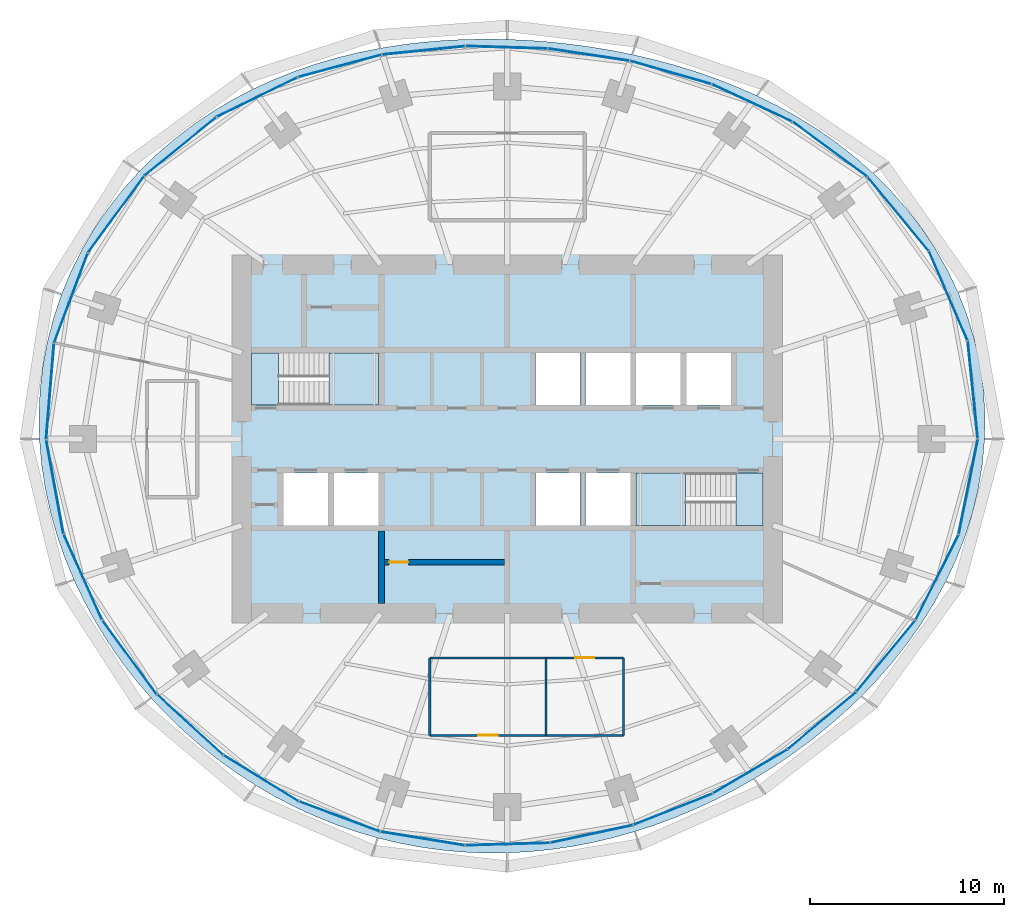
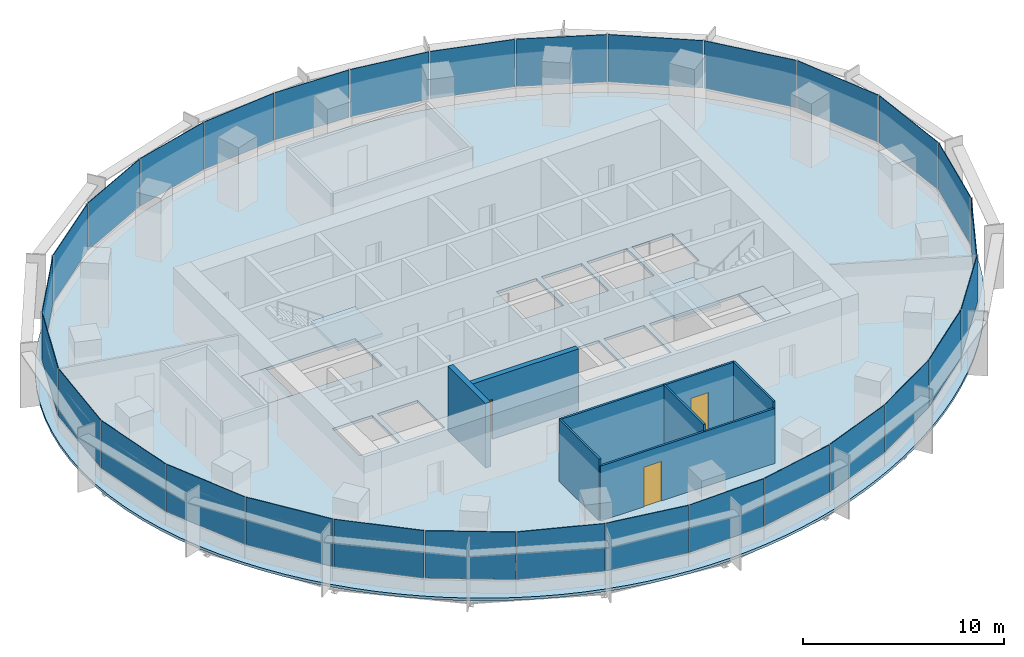
# One storey, part 9 of 14: 30 plates, 7 walls, 5 slabs, 3 doors, 3 openings, 8 elements without a shape of their own.
"""IFC4 building model written with IfcOpenShell, lengths in metres."""

from ifc_helpers import new_model, si_unit, direction, frame, frame_2d, origin, origin_2d, place, context, subcontext, project, spatial, polyline, rectangle, outline, extrude, material, layer, layer_set, type_object, element, fill, aggregate, save


model = new_model("IFC4")

# Units and contexts
model_context = context("Model", 3, precision=1e-05, world=origin(), true_north=direction((0.0, 1.0)))
body_context = subcontext(model_context, "Body", "Model", "MODEL_VIEW")
ifc_project = project(units=[si_unit("LENGTHUNIT", "METRE"), si_unit("AREAUNIT", "SQUARE_METRE"), si_unit("VOLUMEUNIT", "CUBIC_METRE"), si_unit("PLANEANGLEUNIT", "RADIAN"), si_unit("MASSUNIT", "GRAM", prefix="KILO")], contexts=[model_context])

# Site, building, storey
site_placement = place(None, origin())
site = spatial("IfcSite", under=ifc_project, at=site_placement, CompositionType="ELEMENT")
building_placement = place(site_placement, origin())
building = spatial("IfcBuilding", under=site, at=building_placement, Name="Marramba Exchange Tower", CompositionType="ELEMENT")
storey_placement = place(building_placement, frame((0.0, 0.0, 215.0)))
storey = spatial("IfcBuildingStorey", under=building, at=storey_placement, Name="L52", CompositionType="ELEMENT", Elevation=215.0)

# Slab
ifc_material_1 = material(Name="Concrete N40", Category="concrete")
ifc_layer_1 = layer(ifc_material_1, 0.159912109375)
ifc_layer_set_1 = layer_set([ifc_layer_1], Name="Composite floor slab 160")
slab_type_1 = type_object("IfcSlabType", Name="Composite floor slab 160", PredefinedType="FLOOR", material=ifc_layer_set_1)
slab_1_placement = place(storey_placement, frame((0.0, 0.0, -0.159912109375)))
element("IfcSlab", 1, at=slab_1_placement, inside=storey, type_object=slab_type_1, Name="Floor slab L52", PredefinedType="FLOOR", context=body_context, shape_type="SweptSolid", body=[
    extrude(outline(polyline([(24.64404296875, 0.0), (24.661376953125, 1.29248046875), (24.580078125, 2.58349609375), (24.399658203125, 3.864501953125), (24.12109375, 5.127197265625), (23.7470703125, 6.363037109375), (23.281494140625, 7.564697265625), (22.72900390625, 8.724853515625), (22.095947265625, 9.837646484375), (21.388427734375, 10.89794921875), (20.614013671875, 11.901611328125), (19.780029296875, 12.845458984375), (18.894287109375, 13.7275390625), (17.964111328125, 14.547119140625), (16.996826171875, 15.303955078125), (15.9990234375, 15.9990234375), (14.977294921875, 16.634033203125), (13.936767578125, 17.21044921875), (12.882568359375, 17.7314453125), (11.819091796875, 18.19970703125), (10.749267578125, 18.6181640625), (9.67578125, 18.989990234375), (8.60107421875, 19.318115234375), (7.52587890625, 19.60546875), (6.451171875, 19.8544921875), (5.377197265625, 20.067626953125), (4.303466796875, 20.246337890625), (3.229736328125, 20.39208984375), (2.1552734375, 20.50537109375), (1.078857421875, 20.5869140625), (0.0, 20.63623046875), (-1.082275390625, 20.652587890625), (-2.168701171875, 20.634765625), (-3.259765625, 20.580810546875), (-4.35498046875, 20.4892578125), (-5.45458984375, 20.35693359375), (-6.557373046875, 20.181884765625), (-7.662353515625, 19.9609375), (-8.76708984375, 19.691162109375), (-9.869384765625, 19.369873046875), (-10.96630859375, 18.994384765625), (-12.05419921875, 18.561767578125), (-13.128662109375, 18.070068359375), (-14.185546875, 17.517578125), (-15.218994140625, 16.902587890625), (-16.22412109375, 16.22412109375), (-17.195068359375, 15.482421875), (-18.12548828125, 14.677734375), (-19.009521484375, 13.811279296875), (-19.841064453125, 12.885009765625), (-20.614013671875, 11.901611328125), (-21.32275390625, 10.864501953125), (-21.9619140625, 9.778076171875), (-22.52685546875, 8.647216796875), (-23.01318359375, 7.477294921875), (-23.417724609375, 6.274658203125), (-23.73779296875, 5.045654296875), (-23.971923828125, 3.796875), (-24.119384765625, 2.53515625), (-24.180419921875, 1.267333984375), (-24.156005859375, 0.0), (-24.04833984375, -1.26025390625), (-23.860107421875, -2.5078125), (-23.594482421875, -3.737060546875), (-23.25537109375, -4.943115234375), (-22.846923828125, -6.121826171875), (-22.373291015625, -7.26953125), (-21.8388671875, -8.38330078125), (-21.247802734375, -9.460205078125), (-20.604248046875, -10.49853515625), (-19.912109375, -11.496337890625), (-19.174560546875, -12.4521484375), (-18.395263671875, -13.364990234375), (-17.5771484375, -14.233642578125), (-16.72265625, -15.05712890625), (-15.834228515625, -15.834228515625), (-14.914794921875, -16.564453125), (-13.966064453125, -17.24658203125), (-12.990234375, -17.879638671875), (-11.98974609375, -18.46240234375), (-10.96630859375, -18.994384765625), (-9.922607421875, -19.47412109375), (-8.860595703125, -19.901123046875), (-7.78271484375, -20.2744140625), (-6.691162109375, -20.593505859375), (-5.5888671875, -20.858154296875), (-4.478271484375, -21.068115234375), (-3.361328125, -21.22314453125), (-2.2412109375, -21.32373046875), (-1.119873046875, -21.370361328125), (0.0, -21.36376953125), (1.116455078125, -21.3046875), (2.2275390625, -21.194580078125), (3.33154296875, -21.0341796875), (4.426513671875, -20.8251953125), (5.511474609375, -20.56884765625), (6.5849609375, -20.266357421875), (7.646240234375, -19.919189453125), (8.694580078125, -19.528076171875), (9.72900390625, -19.09423828125), (10.749267578125, -18.6181640625), (11.75439453125, -18.100341796875), (12.744140625, -17.541015625), (13.71728515625, -16.939697265625), (14.6728515625, -16.2958984375), (15.609130859375, -15.609130859375), (16.5244140625, -14.878662109375), (17.415771484375, -14.10302734375), (18.280029296875, -13.28125), (19.11376953125, -12.41259765625), (19.912109375, -11.496337890625), (20.669921875, -10.531982421875), (21.3818359375, -9.519775390625), (22.041259765625, -8.4609375), (22.641845703125, -7.356689453125), (23.176513671875, -6.210205078125), (23.638671875, -5.024658203125), (24.022216796875, -3.8046875), (24.32080078125, -2.55615234375), (24.529541015625, -1.28564453125), (24.64404296875, 0.0)]), holes=[polyline([(1.449951171875, 1.75), (3.75, 1.75), (3.75, 4.449951171875), (1.449951171875, 4.449951171875), (1.449951171875, 1.75)]), polyline([(4.050048828125, 1.75), (6.35009765625, 1.75), (6.35009765625, 4.449951171875), (4.050048828125, 4.449951171875), (4.050048828125, 1.75)]), polyline([(1.449951171875, -4.449951171875), (3.75, -4.449951171875), (3.75, -1.75), (1.449951171875, -1.75), (1.449951171875, -4.449951171875)]), polyline([(4.050048828125, -4.449951171875), (6.35009765625, -4.449951171875), (6.35009765625, -1.75), (4.050048828125, -1.75), (4.050048828125, -4.449951171875)]), polyline([(6.64990234375, 1.75), (8.949951171875, 1.75), (8.949951171875, 4.449951171875), (6.64990234375, 4.449951171875), (6.64990234375, 1.75)]), polyline([(-8.949951171875, -4.449951171875), (-6.64990234375, -4.449951171875), (-6.64990234375, -1.75), (-8.949951171875, -1.75), (-8.949951171875, -4.449951171875)]), polyline([(-11.550048828125, -4.449951171875), (-9.25, -4.449951171875), (-9.25, -1.75), (-11.550048828125, -1.75), (-11.550048828125, -4.449951171875)]), polyline([(9.25, 1.75), (11.550048828125, 1.75), (11.550048828125, 4.449951171875), (9.25, 4.449951171875), (9.25, 1.75)]), polyline([(-13.199951171875, 1.75), (-6.64990234375, 1.75), (-6.64990234375, 4.449951171875), (-13.199951171875, 4.449951171875), (-13.199951171875, 1.75)]), polyline([(6.64990234375, -4.449951171875), (13.199951171875, -4.449951171875), (13.199951171875, -1.75), (6.64990234375, -1.75), (6.64990234375, -4.449951171875)])]), origin(), (0.0, 0.0, 1.0), 0.159912109375),
])

# Curtain wall, plates
ifc_material_2 = material(Name="Aluminium framing, bronze anodised", Category="aluminium")
curtain_wall_type = type_object("IfcCurtainWallType", Name="Office ribbon curtain wall", PredefinedType="USERDEFINED", material=ifc_material_2)
curtain_wall_1_placement = place(storey_placement, origin())
curtain_wall_1 = element("IfcCurtainWall", 2, at=curtain_wall_1_placement, inside=storey, type_object=curtain_wall_type, Name="Curtain wall CW4 L52 F01-F05", ObjectType="RIBBON CURTAIN WALL", PredefinedType="USERDEFINED")
ifc_material_3 = material(Name="Laminated double glazed unit 10.76 + 16 + 10.76, bronze tinted", Category="glass")
ifc_layer_2 = layer(ifc_material_3, 0.03759765625)
ifc_layer_set_2 = layer_set([ifc_layer_2], Name="Office ribbon curtain wall panel")
plate_type = type_object("IfcPlateType", Name="Office ribbon curtain wall panel", PredefinedType="CURTAIN_PANEL", material=ifc_layer_set_2)
plate_1_placement = place(storey_placement, frame((24.033203125, 2.556884765625, 0.860107421875), z_axis=(0.0, 0.0, 1.0), x_axis=(-0.101422472607, 0.994843446001, 0.0)))
plate_1 = element("IfcPlate", 3, at=plate_1_placement, type_object=plate_type, Name="CW4 vision panel", PredefinedType="CURTAIN_PANEL", context=body_context, shape_type="SweptSolid", body=[
    extrude(rectangle(XDim=5.0205078125, YDim=0.03759765625, at=origin_2d()), origin(), (0.0, 0.0, 1.0), 2.8798828125),
])
plate_2_placement = place(storey_placement, frame((22.765625, 7.40234375, 0.860107421875), z_axis=(0.0, 0.0, 1.0), x_axis=(-0.396193346946, 0.918167104527, 0.0)))
plate_2 = element("IfcPlate", 4, at=plate_2_placement, type_object=plate_type, Name="CW4 vision panel", PredefinedType="CURTAIN_PANEL", context=body_context, shape_type="SweptSolid", body=[
    extrude(rectangle(XDim=4.99462890625, YDim=0.03759765625, at=origin_2d()), origin(), (0.0, 0.0, 1.0), 2.8798828125),
])
plate_3_placement = place(storey_placement, frame((20.174560546875, 11.631591796875, 0.860107421875), z_axis=(0.0, 0.0, 1.0), x_axis=(-0.637350227411, 0.770574258342, 0.0)))
plate_3 = element("IfcPlate", 5, at=plate_3_placement, type_object=plate_type, Name="CW4 vision panel", PredefinedType="CURTAIN_PANEL", context=body_context, shape_type="SweptSolid", body=[
    extrude(rectangle(XDim=4.90576171875, YDim=0.03759765625, at=origin_2d()), origin(), (0.0, 0.0, 1.0), 2.8798828125),
])
plate_4_placement = place(storey_placement, frame((16.653076171875, 14.965576171875, 0.860107421875), z_axis=(0.0, 0.0, 1.0), x_axis=(-0.804877259395, 0.593441317494, 0.0)))
plate_4 = element("IfcPlate", 6, at=plate_4_placement, type_object=plate_type, Name="CW4 vision panel", PredefinedType="CURTAIN_PANEL", context=body_context, shape_type="SweptSolid", body=[
    extrude(rectangle(XDim=4.745849609375, YDim=0.03759765625, at=origin_2d()), origin(), (0.0, 0.0, 1.0), 2.8798828125),
])
plate_5_placement = place(storey_placement, frame((12.63134765625, 17.357177734375, 0.860107421875), z_axis=(0.0, 0.0, 1.0), x_axis=(-0.906533907301, 0.422133006189, 0.0)))
plate_5 = element("IfcPlate", 7, at=plate_5_placement, type_object=plate_type, Name="CW4 vision panel", PredefinedType="CURTAIN_PANEL", context=body_context, shape_type="SweptSolid", body=[
    extrude(rectangle(XDim=4.53857421875, YDim=0.03759765625, at=origin_2d()), origin(), (0.0, 0.0, 1.0), 2.8798828125),
])
aggregate(curtain_wall_1, [plate_1, plate_2, plate_3, plate_4, plate_5])

curtain_wall_2_placement = place(storey_placement, origin())
curtain_wall_2 = element("IfcCurtainWall", 8, at=curtain_wall_2_placement, inside=storey, type_object=curtain_wall_type, Name="Curtain wall CW4 L52 F06-F10", ObjectType="RIBBON CURTAIN WALL", PredefinedType="USERDEFINED")
plate_6_placement = place(storey_placement, frame((8.4296875, 18.926513671875, 0.860107421875), z_axis=(0.0, 0.0, 1.0), x_axis=(-0.961658954195, 0.274248164656, 0.0)))
plate_6 = element("IfcPlate", 9, at=plate_6_placement, type_object=plate_type, Name="CW4 vision panel", PredefinedType="CURTAIN_PANEL", context=body_context, shape_type="SweptSolid", body=[
    extrude(rectangle(XDim=4.33984375, YDim=0.03759765625, at=origin_2d()), origin(), (0.0, 0.0, 1.0), 2.8798828125),
])
plate_7_placement = place(storey_placement, frame((4.201171875, 19.843994140625, 0.860107421875), z_axis=(0.0, 0.0, 1.0), x_axis=(-0.988868065698, 0.148794988635, 0.0)))
plate_7 = element("IfcPlate", 10, at=plate_7_placement, type_object=plate_type, Name="CW4 vision panel", PredefinedType="CURTAIN_PANEL", context=body_context, shape_type="SweptSolid", body=[
    extrude(rectangle(XDim=4.2119140625, YDim=0.03759765625, at=origin_2d()), origin(), (0.0, 0.0, 1.0), 2.8798828125),
])
plate_8_placement = place(storey_placement, frame((-0.036865234375, 20.222900390625, 0.860107421875), z_axis=(0.0, 0.0, 1.0), x_axis=(-0.999538000143, 0.03039385249, 0.0)))
plate_8 = element("IfcPlate", 11, at=plate_8_placement, type_object=plate_type, Name="CW4 vision panel", PredefinedType="CURTAIN_PANEL", context=body_context, shape_type="SweptSolid", body=[
    extrude(rectangle(XDim=4.19287109375, YDim=0.03759765625, at=origin_2d()), origin(), (0.0, 0.0, 1.0), 2.8798828125),
])
plate_9_placement = place(storey_placement, frame((-4.320556640625, 20.064697265625, 0.860107421875), z_axis=(0.0, 0.0, 1.0), x_axis=(-0.994900357369, -0.100862673507, 0.0)))
plate_9 = element("IfcPlate", 12, at=plate_9_placement, type_object=plate_type, Name="CW4 vision panel", PredefinedType="CURTAIN_PANEL", context=body_context, shape_type="SweptSolid", body=[
    extrude(rectangle(XDim=4.279296875, YDim=0.03759765625, at=origin_2d()), origin(), (0.0, 0.0, 1.0), 2.8798828125),
])
plate_10_placement = place(storey_placement, frame((-8.6494140625, 19.262451171875, 0.860107421875), z_axis=(0.0, 0.0, 1.0), x_axis=(-0.966240653155, -0.257641223778, 0.0)))
plate_10 = element("IfcPlate", 13, at=plate_10_placement, type_object=plate_type, Name="CW4 vision panel", PredefinedType="CURTAIN_PANEL", context=body_context, shape_type="SweptSolid", body=[
    extrude(rectangle(XDim=4.433837890625, YDim=0.03759765625, at=origin_2d()), origin(), (0.0, 0.0, 1.0), 2.8798828125),
])
aggregate(curtain_wall_2, [plate_6, plate_7, plate_8, plate_9, plate_10])

curtain_wall_3_placement = place(storey_placement, origin())
curtain_wall_3 = element("IfcCurtainWall", 14, at=curtain_wall_3_placement, inside=storey, type_object=curtain_wall_type, Name="Curtain wall CW4 L52 F11-F15", ObjectType="RIBBON CURTAIN WALL", PredefinedType="USERDEFINED")
plate_11_placement = place(storey_placement, frame((-12.9150390625, 17.653564453125, 0.860107421875), z_axis=(0.0, 0.0, 1.0), x_axis=(-0.898500518805, -0.438972456661, 0.0)))
plate_11 = element("IfcPlate", 15, at=plate_11_placement, type_object=plate_type, Name="CW4 vision panel", PredefinedType="CURTAIN_PANEL", context=body_context, shape_type="SweptSolid", body=[
    extrude(rectangle(XDim=4.607177734375, YDim=0.03759765625, at=origin_2d()), origin(), (0.0, 0.0, 1.0), 2.8798828125),
])
plate_12_placement = place(storey_placement, frame((-16.87890625, 15.10498046875, 0.860107421875), z_axis=(0.0, 0.0, 1.0), x_axis=(-0.776432169145, -0.630200830464, 0.0)))
plate_12 = element("IfcPlate", 16, at=plate_12_placement, type_object=plate_type, Name="CW4 vision panel", PredefinedType="CURTAIN_PANEL", context=body_context, shape_type="SweptSolid", body=[
    extrude(rectangle(XDim=4.7587890625, YDim=0.03759765625, at=origin_2d()), origin(), (0.0, 0.0, 1.0), 2.8798828125),
])
plate_13_placement = place(storey_placement, frame((-20.2021484375, 11.596435546875, 0.860107421875), z_axis=(0.0, 0.0, 1.0), x_axis=(-0.591962922138, -0.805965197024, 0.0)))
plate_13 = element("IfcPlate", 17, at=plate_13_placement, type_object=plate_type, Name="CW4 vision panel", PredefinedType="CURTAIN_PANEL", context=body_context, shape_type="SweptSolid", body=[
    extrude(rectangle(XDim=4.865478515625, YDim=0.03759765625, at=origin_2d()), origin(), (0.0, 0.0, 1.0), 2.8798828125),
])
plate_14_placement = place(storey_placement, frame((-22.529296875, 7.276123046875, 0.860107421875), z_axis=(0.0, 0.0, 1.0), x_axis=(-0.351951515885, -0.936018231909, 0.0)))
plate_14 = element("IfcPlate", 18, at=plate_14_placement, type_object=plate_type, Name="CW4 vision panel", PredefinedType="CURTAIN_PANEL", context=body_context, shape_type="SweptSolid", body=[
    extrude(rectangle(XDim=4.921630859375, YDim=0.03759765625, at=origin_2d()), origin(), (0.0, 0.0, 1.0), 2.8798828125),
])
plate_15_placement = place(storey_placement, frame((-23.603271484375, 2.45654296875, 0.860107421875), z_axis=(0.0, 0.0, 1.0), x_axis=(-0.082280890264, -0.996609178714, 0.0)))
plate_15 = element("IfcPlate", 19, at=plate_15_placement, type_object=plate_type, Name="CW4 vision panel", PredefinedType="CURTAIN_PANEL", context=body_context, shape_type="SweptSolid", body=[
    extrude(rectangle(XDim=4.9296875, YDim=0.03759765625, at=origin_2d()), origin(), (0.0, 0.0, 1.0), 2.8798828125),
])
aggregate(curtain_wall_3, [plate_11, plate_12, plate_13, plate_14, plate_15])

curtain_wall_4_placement = place(storey_placement, origin())
curtain_wall_4 = element("IfcCurtainWall", 20, at=curtain_wall_4_placement, inside=storey, type_object=curtain_wall_type, Name="Curtain wall CW4 L52 F16-F20", ObjectType="RIBBON CURTAIN WALL", PredefinedType="USERDEFINED")
plate_16_placement = place(storey_placement, frame((-23.354248046875, -2.464599609375, 0.860107421875), z_axis=(0.0, 0.0, 1.0), x_axis=(0.180327438996, -0.983606636184, 0.0)))
plate_16 = element("IfcPlate", 21, at=plate_16_placement, type_object=plate_type, Name="CW4 vision panel", PredefinedType="CURTAIN_PANEL", context=body_context, shape_type="SweptSolid", body=[
    extrude(rectangle(XDim=4.8916015625, YDim=0.03759765625, at=origin_2d()), origin(), (0.0, 0.0, 1.0), 2.8798828125),
])
plate_17_placement = place(storey_placement, frame((-21.908447265625, -7.12158203125, 0.860107421875), z_axis=(0.0, 0.0, 1.0), x_axis=(0.407557580942, -0.913179510401, 0.0)))
plate_17 = element("IfcPlate", 22, at=plate_17_placement, type_object=plate_type, Name="CW4 vision panel", PredefinedType="CURTAIN_PANEL", context=body_context, shape_type="SweptSolid", body=[
    extrude(rectangle(XDim=4.810302734375, YDim=0.03759765625, at=origin_2d()), origin(), (0.0, 0.0, 1.0), 2.8798828125),
])
plate_18_placement = place(storey_placement, frame((-19.50244140625, -11.2626953125, 0.860107421875), z_axis=(0.0, 0.0, 1.0), x_axis=(0.591223103363, -0.806508054547, 0.0)))
plate_18 = element("IfcPlate", 23, at=plate_18_placement, type_object=plate_type, Name="CW4 vision panel", PredefinedType="CURTAIN_PANEL", context=body_context, shape_type="SweptSolid", body=[
    extrude(rectangle(XDim=4.703125, YDim=0.03759765625, at=origin_2d()), origin(), (0.0, 0.0, 1.0), 2.8798828125),
])
plate_19_placement = place(storey_placement, frame((-16.374267578125, -14.752197265625, 0.860107421875), z_axis=(0.0, 0.0, 1.0), x_axis=(0.737203264245, -0.67567103474, 0.0)))
plate_19 = element("IfcPlate", 24, at=plate_19_placement, type_object=plate_type, Name="CW4 vision panel", PredefinedType="CURTAIN_PANEL", context=body_context, shape_type="SweptSolid", body=[
    extrude(rectangle(XDim=4.594970703125, YDim=0.03759765625, at=origin_2d()), origin(), (0.0, 0.0, 1.0), 2.8798828125),
])
plate_20_placement = place(storey_placement, frame((-12.71044921875, -17.513427734375, 0.860107421875), z_axis=(0.0, 0.0, 1.0), x_axis=(0.85230101176, -0.52305160869, 0.0)))
plate_20 = element("IfcPlate", 25, at=plate_20_placement, type_object=plate_type, Name="CW4 vision panel", PredefinedType="CURTAIN_PANEL", context=body_context, shape_type="SweptSolid", body=[
    extrude(rectangle(XDim=4.503173828125, YDim=0.03759765625, at=origin_2d()), origin(), (0.0, 0.0, 1.0), 2.8798828125),
])
aggregate(curtain_wall_4, [plate_16, plate_17, plate_18, plate_19, plate_20])

curtain_wall_5_placement = place(storey_placement, origin())
curtain_wall_5 = element("IfcCurtainWall", 26, at=curtain_wall_5_placement, inside=storey, type_object=curtain_wall_type, Name="Curtain wall CW4 L52 F21-F25", ObjectType="RIBBON CURTAIN WALL", PredefinedType="USERDEFINED")
plate_21_placement = place(storey_placement, frame((-8.6591796875, -19.486572265625, 0.860107421875), z_axis=(0.0, 0.0, 1.0), x_axis=(0.936951583142, -0.349459197687, 0.0)))
plate_21 = element("IfcPlate", 27, at=plate_21_placement, type_object=plate_type, Name="CW4 vision panel", PredefinedType="CURTAIN_PANEL", context=body_context, shape_type="SweptSolid", body=[
    extrude(rectangle(XDim=4.431396484375, YDim=0.03759765625, at=origin_2d()), origin(), (0.0, 0.0, 1.0), 2.8798828125),
])
plate_22_placement = place(storey_placement, frame((-4.3642578125, -20.623046875, 0.860107421875), z_axis=(0.0, 0.0, 1.0), x_axis=(0.986930623159, -0.161145726194, 0.0)))
plate_22 = element("IfcPlate", 28, at=plate_22_placement, type_object=plate_type, Name="CW4 vision panel", PredefinedType="CURTAIN_PANEL", context=body_context, shape_type="SweptSolid", body=[
    extrude(rectangle(XDim=4.37646484375, YDim=0.03759765625, at=origin_2d()), origin(), (0.0, 0.0, 1.0), 2.8798828125),
])
plate_23_placement = place(storey_placement, frame((0.023193359375, -20.91015625, 0.860107421875), z_axis=(0.0, 0.0, 1.0), x_axis=(0.99956791915, 0.029393451762, 0.0)))
plate_23 = element("IfcPlate", 29, at=plate_23_placement, type_object=plate_type, Name="CW4 vision panel", PredefinedType="CURTAIN_PANEL", context=body_context, shape_type="SweptSolid", body=[
    extrude(rectangle(XDim=4.337646484375, YDim=0.03759765625, at=origin_2d()), origin(), (0.0, 0.0, 1.0), 2.8798828125),
])
plate_24_placement = place(storey_placement, frame((4.36328125, -20.3837890625, 0.860107421875), z_axis=(0.0, 0.0, 1.0), x_axis=(0.978058069607, 0.208332456608, 0.0)))
plate_24 = element("IfcPlate", 30, at=plate_24_placement, type_object=plate_type, Name="CW4 vision panel", PredefinedType="CURTAIN_PANEL", context=body_context, shape_type="SweptSolid", body=[
    extrude(rectangle(XDim=4.32177734375, YDim=0.03759765625, at=origin_2d()), origin(), (0.0, 0.0, 1.0), 2.8798828125),
])
plate_25_placement = place(storey_placement, frame((8.553466796875, -19.11328125, 0.860107421875), z_axis=(0.0, 0.0, 1.0), x_axis=(0.93007301435, 0.367374724195, 0.0)))
plate_25 = element("IfcPlate", 31, at=plate_25_placement, type_object=plate_type, Name="CW4 vision panel", PredefinedType="CURTAIN_PANEL", context=body_context, shape_type="SweptSolid", body=[
    extrude(rectangle(XDim=4.345458984375, YDim=0.03759765625, at=origin_2d()), origin(), (0.0, 0.0, 1.0), 2.8798828125),
])
aggregate(curtain_wall_5, [plate_21, plate_22, plate_23, plate_24, plate_25])

curtain_wall_6_placement = place(storey_placement, origin())
curtain_wall_6 = element("IfcCurtainWall", 32, at=curtain_wall_6_placement, inside=storey, type_object=curtain_wall_type, Name="Curtain wall CW4 L52 F26-F30", ObjectType="RIBBON CURTAIN WALL", PredefinedType="USERDEFINED")
plate_26_placement = place(storey_placement, frame((12.5322265625, -17.16015625, 0.860107421875), z_axis=(0.0, 0.0, 1.0), x_axis=(0.861350833897, 0.508010571686, 0.0)))
plate_26 = element("IfcPlate", 33, at=plate_26_placement, type_object=plate_type, Name="CW4 vision panel", PredefinedType="CURTAIN_PANEL", context=body_context, shape_type="SweptSolid", body=[
    extrude(rectangle(XDim=4.426513671875, YDim=0.03759765625, at=origin_2d()), origin(), (0.0, 0.0, 1.0), 2.8798828125),
])
plate_27_placement = place(storey_placement, frame((16.240966796875, -14.536376953125, 0.860107421875), z_axis=(0.0, 0.0, 1.0), x_axis=(0.768736798421, 0.639565270127, 0.0)))
plate_27 = element("IfcPlate", 34, at=plate_27_placement, type_object=plate_type, Name="CW4 vision panel", PredefinedType="CURTAIN_PANEL", context=body_context, shape_type="SweptSolid", body=[
    extrude(rectangle(XDim=4.568603515625, YDim=0.03759765625, at=origin_2d()), origin(), (0.0, 0.0, 1.0), 2.8798828125),
])
plate_28_placement = place(storey_placement, frame((19.548583984375, -11.203369140625, 0.860107421875), z_axis=(0.0, 0.0, 1.0), x_axis=(0.63814998673, 0.769912069289, 0.0)))
plate_28 = element("IfcPlate", 35, at=plate_28_placement, type_object=plate_type, Name="CW4 vision panel", PredefinedType="CURTAIN_PANEL", context=body_context, shape_type="SweptSolid", body=[
    extrude(rectangle(XDim=4.7431640625, YDim=0.03759765625, at=origin_2d()), origin(), (0.0, 0.0, 1.0), 2.8798828125),
])
plate_29_placement = place(storey_placement, frame((22.19287109375, -7.137939453125, 0.860107421875), z_axis=(0.0, 0.0, 1.0), x_axis=(0.450673083956, 0.892689067591, 0.0)))
plate_29 = element("IfcPlate", 36, at=plate_29_placement, type_object=plate_type, Name="CW4 vision panel", PredefinedType="CURTAIN_PANEL", context=body_context, shape_type="SweptSolid", body=[
    extrude(rectangle(XDim=4.897705078125, YDim=0.03759765625, at=origin_2d()), origin(), (0.0, 0.0, 1.0), 2.8798828125),
])
plate_30_placement = place(storey_placement, frame((23.801025390625, -2.446533203125, 0.860107421875), z_axis=(0.0, 0.0, 1.0), x_axis=(0.197495405316, 0.980303812539, 0.0)))
plate_30 = element("IfcPlate", 37, at=plate_30_placement, type_object=plate_type, Name="CW4 vision panel", PredefinedType="CURTAIN_PANEL", context=body_context, shape_type="SweptSolid", body=[
    extrude(rectangle(XDim=4.9912109375, YDim=0.03759765625, at=origin_2d()), origin(), (0.0, 0.0, 1.0), 2.8798828125),
])
aggregate(curtain_wall_6, [plate_26, plate_27, plate_28, plate_29, plate_30])

# Stair, slabs
ifc_material_4 = material(Name="Concrete N40 (40 MPa)", Category="concrete")
stair_type_1 = type_object("IfcStairType", Name="Exit stair ST1 3900 x 1250", PredefinedType="HALF_TURN_STAIR", material=ifc_material_4)
stair_1_placement = place(storey_placement, origin())
stair_1 = element("IfcStair", 38, at=stair_1_placement, inside=storey, type_object=stair_type_1, Name="Exit stair ST1 L52", PredefinedType="HALF_TURN_STAIR")
ifc_layer_3 = layer(ifc_material_4, 0.199951171875)
ifc_layer_set_3 = layer_set([ifc_layer_3], Name="Stair landing 200")
slab_type_2 = type_object("IfcSlabType", Name="Stair landing 200", PredefinedType="LANDING", material=ifc_layer_set_3)
slab_2_placement = place(storey_placement, frame((0.0, 0.0, -0.199951171875)))
slab_2 = element("IfcSlab", 39, at=slab_2_placement, type_object=slab_type_2, Name="ST1 landing 1", PredefinedType="LANDING", context=body_context, shape_type="SweptSolid", body=[
    extrude(outline(polyline([(-13.199951171875, 1.75), (-11.800048828125, 1.75), (-11.800048828125, 4.449951171875), (-13.199951171875, 4.449951171875), (-13.199951171875, 1.75)])), origin(), (0.0, 0.0, 1.0), 0.199951171875),
])
slab_3_placement = place(storey_placement, frame((0.0, 0.0, 1.75)))
slab_3 = element("IfcSlab", 40, at=slab_3_placement, type_object=slab_type_2, Name="ST1 landing 2", PredefinedType="LANDING", context=body_context, shape_type="SweptSolid", body=[
    extrude(outline(polyline([(-9.199951171875, 1.75), (-6.64990234375, 1.75), (-6.64990234375, 4.449951171875), (-9.199951171875, 4.449951171875), (-9.199951171875, 1.75)])), origin(), (0.0, 0.0, 1.0), 0.199951171875),
])
aggregate(stair_1, [slab_2, slab_3])

stair_type_2 = type_object("IfcStairType", Name="Exit stair ST2 3900 x 1250", PredefinedType="HALF_TURN_STAIR", material=ifc_material_4)
stair_2_placement = place(storey_placement, origin())
stair_2 = element("IfcStair", 41, at=stair_2_placement, inside=storey, type_object=stair_type_2, Name="Exit stair ST2 L52", PredefinedType="HALF_TURN_STAIR")
slab_4_placement = place(storey_placement, frame((0.0, 0.0, -0.199951171875)))
slab_4 = element("IfcSlab", 42, at=slab_4_placement, type_object=slab_type_2, Name="ST2 landing 1", PredefinedType="LANDING", context=body_context, shape_type="SweptSolid", body=[
    extrude(outline(polyline([(11.800048828125, -4.449951171875), (13.199951171875, -4.449951171875), (13.199951171875, -1.75), (11.800048828125, -1.75), (11.800048828125, -4.449951171875)])), origin(), (0.0, 0.0, 1.0), 0.199951171875),
])
slab_5_placement = place(storey_placement, frame((0.0, 0.0, 1.75)))
slab_5 = element("IfcSlab", 43, at=slab_5_placement, type_object=slab_type_2, Name="ST2 landing 2", PredefinedType="LANDING", context=body_context, shape_type="SweptSolid", body=[
    extrude(outline(polyline([(6.64990234375, -4.449951171875), (9.199951171875, -4.449951171875), (9.199951171875, -1.75), (6.64990234375, -1.75), (6.64990234375, -4.449951171875)])), origin(), (0.0, 0.0, 1.0), 0.199951171875),
])
aggregate(stair_2, [slab_4, slab_5])

# Walls
ifc_material_5 = material(Name="Concrete N50", Category="concrete")
ifc_layer_4 = layer(ifc_material_5, 0.300048828125)
ifc_layer_set_4 = layer_set([ifc_layer_4], Name="Core wall 300")
wall_type_1 = type_object("IfcWallType", Name="Core wall 300", PredefinedType="SHEAR", material=ifc_layer_set_4)
wall_1_placement = place(storey_placement, frame((-6.5, -4.75, 0.0), z_axis=(0.0, 0.0, 1.0), x_axis=(0.0, -1.0, 0.0)))
element("IfcWall", 44, at=wall_1_placement, inside=storey, type_object=wall_type_1, Name="Core wall X0Sb L52", PredefinedType="SHEAR", context=body_context, shape_type="SweptSolid", body=[
    extrude(rectangle(XDim=3.75, YDim=0.300048828125, at=frame_2d((1.875, 0.0))), origin(), (0.0, 0.0, 1.0), 3.89990234375),
])
ifc_material_6 = material(Name="Plasterboard on steel studs", Category="steel")
ifc_layer_5 = layer(ifc_material_6, 0.1201171875)
ifc_layer_set_5 = layer_set([ifc_layer_5], Name="Partition 120")
wall_type_2 = type_object("IfcWallType", Name="Partition 120", PredefinedType="PARTITIONING", material=ifc_layer_set_5)
wall_2_placement = place(storey_placement, frame((-4.0, -15.300048828125, 0.0), z_axis=(0.0, 0.0, 1.0), x_axis=(0.0, 1.0, 0.0)))
element("IfcWall", 45, at=wall_2_placement, inside=storey, type_object=wall_type_2, Name="Partition L52 02", PredefinedType="PARTITIONING", context=body_context, shape_type="SweptSolid", body=[
    extrude(rectangle(XDim=4.0, YDim=0.1201171875, at=frame_2d((2.0, 0.0))), origin(), (0.0, 0.0, 1.0), 3.739990234375),
])

# Wall, opening, door
wall_3_placement = place(storey_placement, frame((6.0, -15.300048828125, 0.0), z_axis=(0.0, 0.0, 1.0), x_axis=(-1.0, 0.0, 0.0)))
wall_3 = element("IfcWall", 46, at=wall_3_placement, inside=storey, type_object=wall_type_2, Name="Partition L52 03", PredefinedType="PARTITIONING", context=body_context, shape_type="SweptSolid", body=[
    extrude(rectangle(XDim=10.0, YDim=0.1201171875, at=frame_2d((5.0, 0.0))), origin(), (0.0, 0.0, 1.0), 3.333984375),
])
opening_1_placement = place(wall_3_placement, frame((6.5, 0.0, 0.0)))
opening_1 = element("IfcOpeningElement", 47, at=opening_1_placement, cuts=wall_3, Name="Opening D9", PredefinedType="OPENING", context=body_context, shape_type="SweptSolid", body=[
    extrude(rectangle(XDim=1.0, YDim=2.39990234375, at=frame_2d((0.5, 1.199951171875))), frame((0.0, 0.070068359375, 0.0), z_axis=(0.0, -1.0, 0.0), x_axis=(1.0, 0.0, 0.0)), (0.0, 0.0, 1.0), 0.14013671875),
])
ifc_material_7 = material(Name="Timber door", Category="wood")
door_type = type_object("IfcDoorType", Name="Room door 1000x2400", OperationType="SINGLE_SWING_LEFT", PredefinedType="DOOR", material=ifc_material_7)
door_1_placement = place(opening_1_placement, frame((1.0, 0.0, 0.0), z_axis=(0.0, 0.0, 1.0), x_axis=(-1.0, 0.0, 0.0)))
door_1 = element("IfcDoor", 48, at=door_1_placement, inside=storey, type_object=door_type, Name="D9 Pantry L52", OperationType="SINGLE_SWING_RIGHT", OverallHeight=2.39990234375, OverallWidth=1.0, PredefinedType="DOOR", context=body_context, shape_type="SweptSolid", body=[
    extrude(rectangle(XDim=1.0, YDim=2.39990234375, at=frame_2d((0.5, 1.199951171875))), frame((0.0, 0.025146484375, 0.0), z_axis=(0.0, -1.0, 0.0), x_axis=(1.0, 0.0, 0.0)), (0.0, 0.0, 1.0), 0.050048828125),
])
fill(opening_1, door_1)

wall_4_placement = place(storey_placement, frame((-4.0, -11.300048828125, 0.0), z_axis=(0.0, 0.0, 1.0), x_axis=(1.0, 0.0, 0.0)))
wall_4 = element("IfcWall", 49, at=wall_4_placement, inside=storey, type_object=wall_type_2, Name="Partition L52 04", PredefinedType="PARTITIONING", context=body_context, shape_type="SweptSolid", body=[
    extrude(rectangle(XDim=10.0, YDim=0.1201171875, at=frame_2d((5.0, 0.0))), origin(), (0.0, 0.0, 1.0), 3.739990234375),
])
opening_2_placement = place(wall_4_placement, frame((7.5, 0.0, 0.0)))
opening_2 = element("IfcOpeningElement", 50, at=opening_2_placement, cuts=wall_4, Name="Opening D9", PredefinedType="OPENING", context=body_context, shape_type="SweptSolid", body=[
    extrude(rectangle(XDim=1.0, YDim=2.39990234375, at=frame_2d((0.5, 1.199951171875))), frame((0.0, 0.070068359375, 0.0), z_axis=(0.0, -1.0, 0.0), x_axis=(1.0, 0.0, 0.0)), (0.0, 0.0, 1.0), 0.14013671875),
])
door_2_placement = place(opening_2_placement, frame((1.0, 0.0, 0.0), z_axis=(0.0, 0.0, 1.0), x_axis=(-1.0, 0.0, 0.0)))
door_2 = element("IfcDoor", 51, at=door_2_placement, inside=storey, type_object=door_type, Name="D9 Print Room L52", OperationType="SINGLE_SWING_RIGHT", OverallHeight=2.39990234375, OverallWidth=1.0, PredefinedType="DOOR", context=body_context, shape_type="SweptSolid", body=[
    extrude(rectangle(XDim=1.0, YDim=2.39990234375, at=frame_2d((0.5, 1.199951171875))), frame((0.0, 0.025146484375, 0.0), z_axis=(0.0, -1.0, 0.0), x_axis=(1.0, 0.0, 0.0)), (0.0, 0.0, 1.0), 0.050048828125),
])
fill(opening_2, door_2)

# Walls
for number, where, z_axis, x_axis, name in (
    (52, (2.0, -11.300048828125, 0.0), (0.0, 0.0, 1.0), (0.0, -1.0, 0.0), "Partition L52 05"),
    (53, (6.0, -11.300048828125, 0.0), (0.0, 0.0, 1.0), (0.0, -1.0, 0.0), "Partition L52 06"),
):
    element("IfcWall", number, at=place(storey_placement, frame(where, z_axis=z_axis, x_axis=x_axis)), inside=storey, type_object=wall_type_2, Name=name, PredefinedType="PARTITIONING", context=body_context, shape_type="SweptSolid", body=[
        extrude(rectangle(XDim=4.0, YDim=0.1201171875, at=frame_2d((2.0, 0.0))), origin(), (0.0, 0.0, 1.0), 3.739990234375),
    ])

# Wall, opening, door
ifc_material_8 = material(Name="Plasterboard on steel studs, insulated, unrated", Category="steel")
ifc_layer_6 = layer(ifc_material_8, 0.300048828125)
ifc_layer_set_6 = layer_set([ifc_layer_6], Name="Store partition 300")
wall_type_3 = type_object("IfcWallType", Name="Store partition 300", PredefinedType="PARTITIONING", material=ifc_layer_set_6)
wall_5_placement = place(storey_placement, frame((-6.35009765625, -6.360107421875, 0.0), z_axis=(0.0, 0.0, 1.0), x_axis=(1.0, 0.0, 0.0)))
wall_5 = element("IfcWall", 54, at=wall_5_placement, inside=storey, type_object=wall_type_3, Name="Store partition L52 store", PredefinedType="PARTITIONING", context=body_context, shape_type="SweptSolid", body=[
    extrude(rectangle(XDim=6.2001953125, YDim=0.300048828125, at=frame_2d((3.10009765625, 0.0))), origin(), (0.0, 0.0, 1.0), 3.739990234375),
])
opening_3_placement = place(wall_5_placement, frame((0.25, 0.0, 0.0)))
opening_3 = element("IfcOpeningElement", 55, at=opening_3_placement, cuts=wall_5, Name="Opening D9", PredefinedType="OPENING", context=body_context, shape_type="SweptSolid", body=[
    extrude(rectangle(XDim=1.0, YDim=2.39990234375, at=frame_2d((0.5, 1.199951171875))), frame((0.0, 0.159912109375, 0.0), z_axis=(0.0, -1.0, 0.0), x_axis=(1.0, 0.0, 0.0)), (0.0, 0.0, 1.0), 0.320068359375),
])
door_3_placement = place(opening_3_placement, origin())
door_3 = element("IfcDoor", 56, at=door_3_placement, inside=storey, type_object=door_type, Name="D9 stationery store L52", OperationType="SINGLE_SWING_LEFT", OverallHeight=2.39990234375, OverallWidth=1.0, PredefinedType="DOOR", context=body_context, shape_type="SweptSolid", body=[
    extrude(rectangle(XDim=1.0, YDim=2.39990234375, at=frame_2d((0.5, 1.199951171875))), frame((0.0, 0.02490234375, 0.0), z_axis=(0.0, -1.0, 0.0), x_axis=(1.0, 0.0, 0.0)), (0.0, 0.0, 1.0), 0.050048828125),
])
fill(opening_3, door_3)

save(model, "model.ifc")
